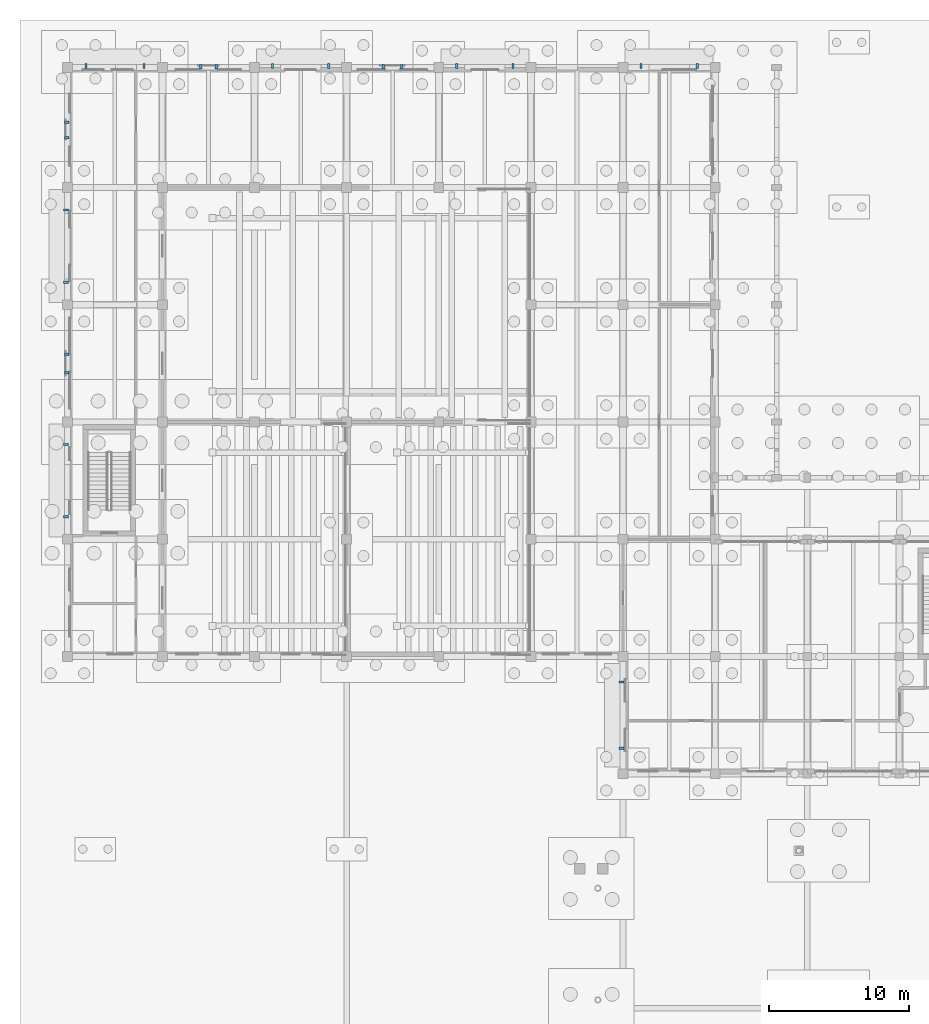
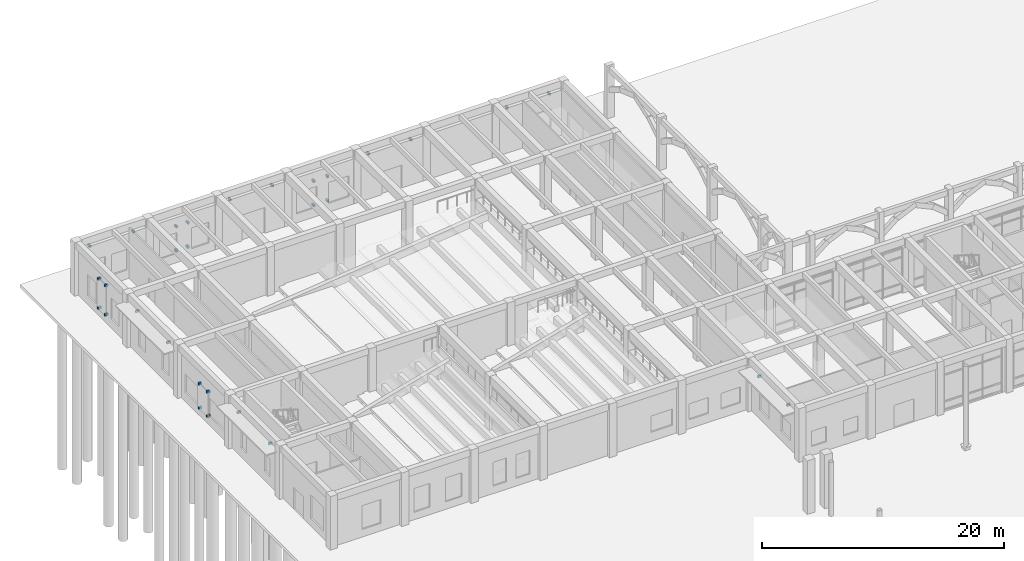
# One storey, part 68 of 82: 30 discrete accessories.
"""IFC4 building model written with IfcOpenShell, lengths in metres."""

import ifcopenshell
import ifcopenshell.guid

model = None  # the IFC model being written
_history = None  # IfcOwnerHistory: only IFC2X3 demands one
_inside = {}  # id of a spatial element -> (the spatial element, [elements in it])
_under = {}  # id of a project, library or spatial element -> (it, [spatial elements below it])
_declared = {}  # id of a project -> (the project, [libraries it declares])
_typed = {}  # id of a type object -> (the type object, [elements of that type])
_made_of = {}  # id of a material, layer set ... -> (it, [elements and type objects made of it])


def new_model(schema):
    """Start an empty IFC model of exactly this schema.

    Asked for "IFC4X3", IfcOpenShell would pick the latest addendum, in which some entities
    have other attributes; the version numbers below select the first issue.
    IFC2X3 requires an IfcOwnerHistory on every rooted entity: one is made here for all.
    """
    global model, _history
    if schema == "IFC4X3":
        model = ifcopenshell.file(schema_version=(4, 3, 0, 0))
    else:
        model = ifcopenshell.file(schema=schema)
    _inside.clear()
    _under.clear()
    _declared.clear()
    _typed.clear()
    _made_of.clear()
    _history = None
    if model.schema == "IFC2X3":
        org = make("IfcOrganization", Name="unknown")
        user = make(
            "IfcPersonAndOrganization",
            ThePerson=make("IfcPerson", FamilyName="unknown"),
            TheOrganization=org,
        )
        app = make(
            "IfcApplication",
            ApplicationDeveloper=org,
            Version="unknown",
            ApplicationFullName="unknown",
            ApplicationIdentifier="unknown",
        )
        _history = make(
            "IfcOwnerHistory",
            OwningUser=user,
            OwningApplication=app,
            ChangeAction="ADDED",
            CreationDate=0,
        )
    return model


def make(cls, **values):
    """One entity of the class cls with the attributes given. An attribute that is None is left unset."""
    return model.create_entity(
        cls, **{name: value for name, value in values.items() if value is not None}
    )


def rooted(cls, **values):
    """An entity with a GlobalId (a new one), such as an element, a storey or a relation."""
    return make(cls, GlobalId=ifcopenshell.guid.new(), OwnerHistory=_history, **values)


def si_unit(unit_type, name, prefix=None):
    """IfcSIUnit, for example si_unit("LENGTHUNIT", "METRE", prefix="MILLI")."""
    return make("IfcSIUnit", UnitType=unit_type, Prefix=prefix, Name=name)


def assignment(units):
    """IfcUnitAssignment: the units of a project."""
    return None if units is None else make("IfcUnitAssignment", Units=units)


def point(xyz):
    """IfcCartesianPoint."""
    return None if xyz is None else make("IfcCartesianPoint", Coordinates=xyz)


def direction(xyz):
    """IfcDirection."""
    return None if xyz is None else make("IfcDirection", DirectionRatios=xyz)


def frame(location, z_axis=None, x_axis=None):
    """IfcAxis2Placement3D, a coordinate frame: its origin and axes. An axis left out is left unset."""
    return make(
        "IfcAxis2Placement3D",
        Location=point(location),
        Axis=direction(z_axis),
        RefDirection=direction(x_axis),
    )


def frame_2d(location, x_axis=None):
    """IfcAxis2Placement2D, a coordinate frame in the plane: its origin and x axis."""
    return make(
        "IfcAxis2Placement2D", Location=point(location), RefDirection=direction(x_axis)
    )


def origin():
    """The frame at (0, 0, 0) with its axes left unset."""
    return frame((0.0, 0.0, 0.0))


def origin_2d():
    """The frame at (0, 0) in the plane with its x axis left unset."""
    return frame_2d((0.0, 0.0))


def place(relative_to, where):
    """IfcLocalPlacement: puts the frame where relative to a parent placement (None: the world)."""
    return make(
        "IfcLocalPlacement", PlacementRelTo=relative_to, RelativePlacement=where
    )


def context(
    kind, dimensions, precision=None, world=None, true_north=None, identifier=None
):
    """IfcGeometricRepresentationContext, for example the 3D "Model" context."""
    return make(
        "IfcGeometricRepresentationContext",
        ContextIdentifier=identifier,
        ContextType=kind,
        CoordinateSpaceDimension=dimensions,
        Precision=precision,
        WorldCoordinateSystem=world,
        TrueNorth=true_north,
    )


def subcontext(parent, identifier, kind, view, scale=None):
    """IfcGeometricRepresentationSubContext, for example "Body" below "Model"."""
    return make(
        "IfcGeometricRepresentationSubContext",
        ContextIdentifier=identifier,
        ContextType=kind,
        ParentContext=parent,
        TargetScale=scale,
        TargetView=view,
    )


def project(units=None, contexts=None):
    """IfcProject with its units and contexts."""
    return rooted(
        "IfcProject",
        Name="project",
        RepresentationContexts=contexts,
        UnitsInContext=assignment(units),
    )


def spatial(cls, under=None, at=None, **own):
    """A site, building, storey or space (cls), placed at a placement, below another one or the project."""
    s = rooted(cls, ObjectPlacement=at, **own)
    if under is not None:
        _under.setdefault(under.id(), (under, []))[1].append(s)
    return s


def profile(cls, at=None, kind="AREA", **sizes):
    """A parametric profile (cls). Its sizes go by their IFC names, for example OverallWidth=200.0."""
    return make(cls, ProfileType=kind, Position=at, **sizes)


def rectangle(**sizes):
    """IfcRectangleProfileDef."""
    return profile("IfcRectangleProfileDef", **sizes)


def extrude(swept, where, along, depth):
    """IfcExtrudedAreaSolid: the profile swept, set in the frame where, extruded along a direction by depth."""
    return make(
        "IfcExtrudedAreaSolid",
        SweptArea=swept,
        Position=where,
        ExtrudedDirection=direction(along),
        Depth=depth,
    )


def shape(context_of_items, identifier, shape_type, items):
    """IfcShapeRepresentation: the items that make up one representation, for example the "Body"."""
    return make(
        "IfcShapeRepresentation",
        ContextOfItems=context_of_items,
        RepresentationIdentifier=identifier,
        RepresentationType=shape_type,
        Items=items,
    )


def material(Name=None, Category=None):
    """IfcMaterial."""
    return make("IfcMaterial", Name=Name, Category=Category)


def made_of(thing, what):
    """Note that an element or type object is made of a material, layer set ...; save() writes the relation."""
    if what is not None:
        _made_of.setdefault(what.id(), (what, []))[1].append(thing)
    return thing


def type_object(cls, material=None, **own):
    """A type object (cls), such as IfcWallType, which elements share."""
    return made_of(rooted(cls, **own), material)


def element(
    cls,
    number,
    at=None,
    inside=None,
    cuts=None,
    type_object=None,
    material=None,
    context=None,
    identifier="Body",
    shape_type=None,
    held_by="IfcProductDefinitionShape",
    body=None,
    shapes=None,
    **own,
):
    """One element of the class cls, such as IfcWall. Its Tag is "e" and its number.

    at: its placement. inside: the storey or other place that contains it. cuts: it is an
    opening in that element (IfcRelVoidsElement). A single representation is given by context,
    identifier, shape_type and body (its items); several are given by shapes. held_by: the class
    of the entity that holds the representations. save() writes the other relations.
    """
    e = rooted(cls, Tag="e%d" % number, ObjectPlacement=at, **own)
    if body is not None:
        shapes = [shape(context, identifier, shape_type, body)]
    if shapes is not None:
        e.Representation = make(held_by, Representations=shapes)
    if inside is not None:
        _inside.setdefault(inside.id(), (inside, []))[1].append(e)
    if cuts is not None:
        rooted(
            "IfcRelVoidsElement", RelatingBuildingElement=cuts, RelatedOpeningElement=e
        )
    if type_object is not None:
        _typed.setdefault(type_object.id(), (type_object, []))[1].append(e)
    return made_of(e, material)


def aggregate(whole, parts):
    """IfcRelAggregates: a whole, such as a stair, and the parts it consists of."""
    return rooted("IfcRelAggregates", RelatingObject=whole, RelatedObjects=parts)


def save(model, path):
    """Write the relations noted so far, then the file.

    IfcRelAggregates (storeys below a building ...), IfcRelContainedInSpatialStructure (elements
    in a storey), IfcRelDefinesByType, IfcRelAssociatesMaterial and IfcRelDeclares: one each for
    every whole, place, type object, material and project.
    """
    for whole, parts in _under.values():
        aggregate(whole, parts)
    for where, things in _inside.values():
        rooted(
            "IfcRelContainedInSpatialStructure",
            RelatedElements=things,
            RelatingStructure=where,
        )
    for kind, things in _typed.values():
        rooted("IfcRelDefinesByType", RelatedObjects=things, RelatingType=kind)
    for what, things in _made_of.values():
        rooted("IfcRelAssociatesMaterial", RelatedObjects=things, RelatingMaterial=what)
    for by, libraries in _declared.values():
        rooted("IfcRelDeclares", RelatingContext=by, RelatedDefinitions=libraries)
    model.write(path)


model = new_model("IFC4")

# Units and contexts
model_context = context("Model", 3, precision=1e-05, world=origin(), true_north=direction((0.0, 1.0)))
body_context = subcontext(model_context, "Body", "Model", "MODEL_VIEW")
ifc_project = project(units=[si_unit("LENGTHUNIT", "METRE"), si_unit("AREAUNIT", "SQUARE_METRE"), si_unit("VOLUMEUNIT", "CUBIC_METRE"), si_unit("PLANEANGLEUNIT", "RADIAN"), si_unit("MASSUNIT", "GRAM", prefix="KILO")], contexts=[model_context])

# Site, building, storey
site_placement = place(None, origin())
site = spatial("IfcSite", under=ifc_project, at=site_placement, CompositionType="ELEMENT")
building_placement = place(site_placement, origin())
building = spatial("IfcBuilding", under=site, at=building_placement, Name="Kolvaren Faculty of Natural Sciences", CompositionType="ELEMENT")
storey_placement = place(building_placement, origin())
storey = spatial("IfcBuildingStorey", under=building, at=storey_placement, Name="L00", CompositionType="ELEMENT", Elevation=0.0)

# Discrete accessories
ifc_material = material(Name="Structural steel EN 10025-2 S355J2", Category="steel")
discrete_accessory_type = type_object("IfcDiscreteAccessoryType", Name="FacadeSupportBracket_260", PredefinedType="BRACKET", material=ifc_material)
for number, where, z_axis, x_axis, name in (
    (1, (39.699951171875, 69.2255859375, 4.31494140625), (0.0, 0.0, 1.0), (0.0, 1.0, 0.0), "L00 chhajja hood steel bracket"),
    (2, (39.699951171875, 73.974365234375, 4.31494140625), (0.0, 0.0, 1.0), (0.0, 1.0, 0.0), "L00 chhajja hood steel bracket"),
    (3, (-0.10009765625, 85.80810546875, 4.31494140625), (0.0, 0.0, 1.0), (0.0, 1.0, 0.0), "L00 chhajja hood steel bracket"),
    (4, (-0.10009765625, 90.991943359375, 4.31494140625), (0.0, 0.0, 1.0), (0.0, 1.0, 0.0), "L00 chhajja hood steel bracket"),
):
    element("IfcDiscreteAccessory", number, at=place(storey_placement, frame(where, z_axis=z_axis, x_axis=x_axis)), inside=storey, type_object=discrete_accessory_type, Name=name, PredefinedType="BRACKET", context=body_context, shape_type="SweptSolid", body=[
        extrude(rectangle(XDim=0.159912109375, YDim=0.340087890625, at=origin_2d()), origin(), (0.0, 0.0, 1.0), 0.219970703125),
    ])
for number, where, z_axis, x_axis, name in (
    (5, (-0.06005859375, 96.135009765625, 0.81982421875), (0.0, 0.0, 1.0), (0.0, 1.0, 0.0), "L00 jali screen wall bracket"),
    (6, (-0.06005859375, 97.465087890625, 0.81982421875), (0.0, 0.0, 1.0), (0.0, 1.0, 0.0), "L00 jali screen wall bracket"),
    (7, (-0.06005859375, 96.135009765625, 3.26025390625), (0.0, 0.0, 1.0), (0.0, 1.0, 0.0), "L00 jali screen wall bracket"),
    (8, (-0.06005859375, 97.465087890625, 3.26025390625), (0.0, 0.0, 1.0), (0.0, 1.0, 0.0), "L00 jali screen wall bracket"),
):
    element("IfcDiscreteAccessory", number, at=place(storey_placement, frame(where, z_axis=z_axis, x_axis=x_axis)), inside=storey, type_object=discrete_accessory_type, Name=name, PredefinedType="BRACKET", context=body_context, shape_type="SweptSolid", body=[
        extrude(rectangle(XDim=0.179931640625, YDim=0.320068359375, at=origin_2d()), origin(), (0.0, 0.0, 1.0), 0.219970703125),
    ])
for number, where, z_axis, x_axis, name in (
    (9, (-0.10009765625, 102.60791015625, 4.31494140625), (0.0, 0.0, 1.0), (0.0, 1.0, 0.0), "L00 chhajja hood steel bracket"),
    (10, (-0.10009765625, 107.7919921875, 4.31494140625), (0.0, 0.0, 1.0), (0.0, 1.0, 0.0), "L00 chhajja hood steel bracket"),
):
    element("IfcDiscreteAccessory", number, at=place(storey_placement, frame(where, z_axis=z_axis, x_axis=x_axis)), inside=storey, type_object=discrete_accessory_type, Name=name, PredefinedType="BRACKET", context=body_context, shape_type="SweptSolid", body=[
        extrude(rectangle(XDim=0.159912109375, YDim=0.340087890625, at=origin_2d()), origin(), (0.0, 0.0, 1.0), 0.219970703125),
    ])
for number, where, z_axis, x_axis, name in (
    (11, (-0.06005859375, 112.97900390625, 0.81982421875), (0.0, 0.0, 1.0), (0.0, 1.0, 0.0), "L00 jali screen wall bracket"),
    (12, (-0.06005859375, 114.0810546875, 0.81982421875), (0.0, 0.0, 1.0), (0.0, 1.0, 0.0), "L00 jali screen wall bracket"),
    (13, (-0.06005859375, 112.97900390625, 3.76025390625), (0.0, 0.0, 1.0), (0.0, 1.0, 0.0), "L00 jali screen wall bracket"),
    (14, (-0.06005859375, 114.0810546875, 3.76025390625), (0.0, 0.0, 1.0), (0.0, 1.0, 0.0), "L00 jali screen wall bracket"),
):
    element("IfcDiscreteAccessory", number, at=place(storey_placement, frame(where, z_axis=z_axis, x_axis=x_axis)), inside=storey, type_object=discrete_accessory_type, Name=name, PredefinedType="BRACKET", context=body_context, shape_type="SweptSolid", body=[
        extrude(rectangle(XDim=0.179931640625, YDim=0.320068359375, at=origin_2d()), origin(), (0.0, 0.0, 1.0), 0.219970703125),
    ])
for number, where, z_axis, x_axis, name in (
    (15, (1.320068359375, 118.10009765625, 4.1650390625), (0.0, 0.0, 1.0), (1.0, 0.0, 0.0), "L00 chhajja hood steel bracket"),
    (16, (5.47998046875, 118.10009765625, 4.1650390625), (0.0, 0.0, 1.0), (1.0, 0.0, 0.0), "L00 chhajja hood steel bracket"),
):
    element("IfcDiscreteAccessory", number, at=place(storey_placement, frame(where, z_axis=z_axis, x_axis=x_axis)), inside=storey, type_object=discrete_accessory_type, Name=name, PredefinedType="BRACKET", context=body_context, shape_type="SweptSolid", body=[
        extrude(rectangle(XDim=0.159912109375, YDim=0.340087890625, at=origin_2d()), origin(), (0.0, 0.0, 1.0), 0.219970703125),
    ])
for number, where, z_axis, x_axis, name in (
    (17, (9.549072265625, 118.06005859375, 0.81982421875), (0.0, 0.0, 1.0), (1.0, 0.0, 0.0), "L00 jali screen wall bracket"),
    (18, (10.65087890625, 118.06005859375, 0.81982421875), (0.0, 0.0, 1.0), (1.0, 0.0, 0.0), "L00 jali screen wall bracket"),
    (19, (9.549072265625, 118.06005859375, 3.26025390625), (0.0, 0.0, 1.0), (1.0, 0.0, 0.0), "L00 jali screen wall bracket"),
    (20, (10.65087890625, 118.06005859375, 3.26025390625), (0.0, 0.0, 1.0), (1.0, 0.0, 0.0), "L00 jali screen wall bracket"),
):
    element("IfcDiscreteAccessory", number, at=place(storey_placement, frame(where, z_axis=z_axis, x_axis=x_axis)), inside=storey, type_object=discrete_accessory_type, Name=name, PredefinedType="BRACKET", context=body_context, shape_type="SweptSolid", body=[
        extrude(rectangle(XDim=0.179931640625, YDim=0.320068359375, at=origin_2d()), origin(), (0.0, 0.0, 1.0), 0.219970703125),
    ])
for number, where, z_axis, x_axis, name in (
    (21, (14.68408203125, 118.10009765625, 4.1650390625), (0.0, 0.0, 1.0), (1.0, 0.0, 0.0), "L00 chhajja hood steel bracket"),
    (22, (18.716064453125, 118.10009765625, 4.1650390625), (0.0, 0.0, 1.0), (1.0, 0.0, 0.0), "L00 chhajja hood steel bracket"),
):
    element("IfcDiscreteAccessory", number, at=place(storey_placement, frame(where, z_axis=z_axis, x_axis=x_axis)), inside=storey, type_object=discrete_accessory_type, Name=name, PredefinedType="BRACKET", context=body_context, shape_type="SweptSolid", body=[
        extrude(rectangle(XDim=0.159912109375, YDim=0.340087890625, at=origin_2d()), origin(), (0.0, 0.0, 1.0), 0.219970703125),
    ])
for number, where, z_axis, x_axis, name in (
    (23, (22.635009765625, 118.06005859375, 0.81982421875), (0.0, 0.0, 1.0), (1.0, 0.0, 0.0), "L00 jali screen wall bracket"),
    (24, (23.965087890625, 118.06005859375, 0.81982421875), (0.0, 0.0, 1.0), (1.0, 0.0, 0.0), "L00 jali screen wall bracket"),
    (25, (22.635009765625, 118.06005859375, 3.26025390625), (0.0, 0.0, 1.0), (1.0, 0.0, 0.0), "L00 jali screen wall bracket"),
    (26, (23.965087890625, 118.06005859375, 3.26025390625), (0.0, 0.0, 1.0), (1.0, 0.0, 0.0), "L00 jali screen wall bracket"),
):
    element("IfcDiscreteAccessory", number, at=place(storey_placement, frame(where, z_axis=z_axis, x_axis=x_axis)), inside=storey, type_object=discrete_accessory_type, Name=name, PredefinedType="BRACKET", context=body_context, shape_type="SweptSolid", body=[
        extrude(rectangle(XDim=0.179931640625, YDim=0.320068359375, at=origin_2d()), origin(), (0.0, 0.0, 1.0), 0.219970703125),
    ])
for number, where, z_axis, x_axis, name in (
    (27, (27.884033203125, 118.10009765625, 4.1650390625), (0.0, 0.0, 1.0), (1.0, 0.0, 0.0), "L00 chhajja hood steel bracket"),
    (28, (31.916015625, 118.10009765625, 4.1650390625), (0.0, 0.0, 1.0), (1.0, 0.0, 0.0), "L00 chhajja hood steel bracket"),
    (29, (41.083984375, 118.10009765625, 4.1650390625), (0.0, 0.0, 1.0), (1.0, 0.0, 0.0), "L00 chhajja hood steel bracket"),
    (30, (45.115966796875, 118.10009765625, 4.1650390625), (0.0, 0.0, 1.0), (1.0, 0.0, 0.0), "L00 chhajja hood steel bracket"),
):
    element("IfcDiscreteAccessory", number, at=place(storey_placement, frame(where, z_axis=z_axis, x_axis=x_axis)), inside=storey, type_object=discrete_accessory_type, Name=name, PredefinedType="BRACKET", context=body_context, shape_type="SweptSolid", body=[
        extrude(rectangle(XDim=0.159912109375, YDim=0.340087890625, at=origin_2d()), origin(), (0.0, 0.0, 1.0), 0.219970703125),
    ])

save(model, "model.ifc")
